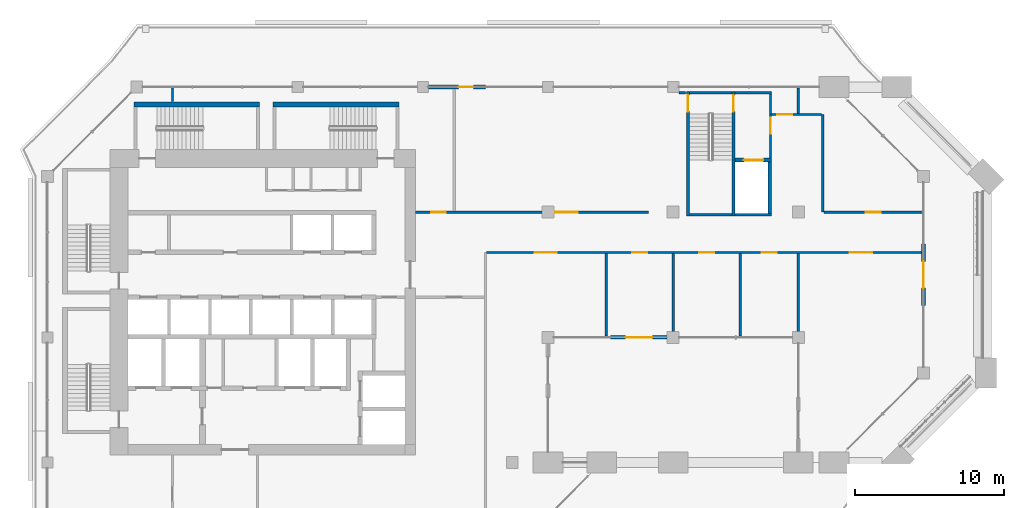
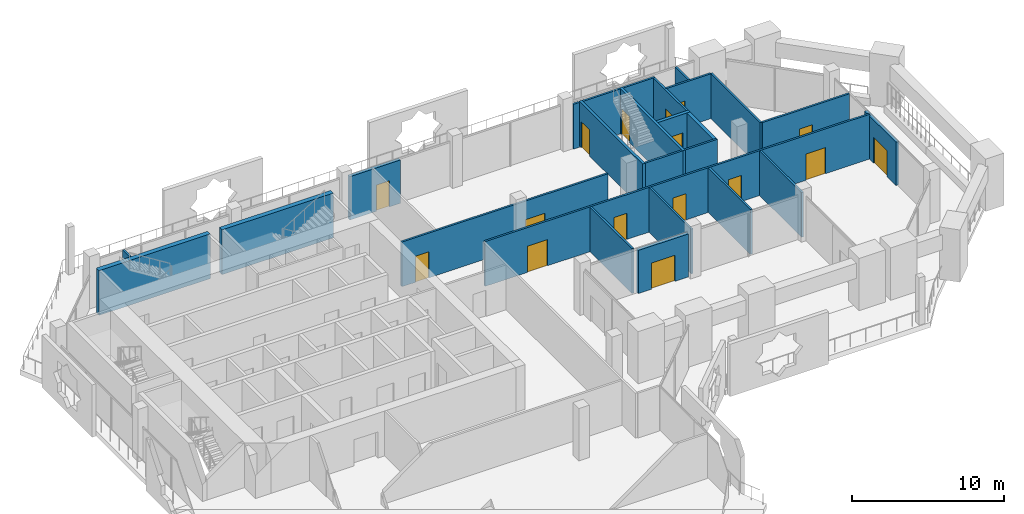
# One storey, part 13 of 20: 26 walls, 16 doors, 16 openings.
"""IFC4 building model written with IfcOpenShell, lengths in metres."""

from ifc_helpers import new_model, si_unit, direction, frame, frame_2d, origin, place, context, subcontext, project, spatial, rectangle, extrude, material, layer, layer_set, type_object, element, fill, save


model = new_model("IFC4")

# Units and contexts
model_context = context("Model", 3, precision=1e-05, world=origin(), true_north=direction((0.0, 1.0)))
body_context = subcontext(model_context, "Body", "Model", "MODEL_VIEW")
ifc_project = project(units=[si_unit("LENGTHUNIT", "METRE"), si_unit("AREAUNIT", "SQUARE_METRE"), si_unit("VOLUMEUNIT", "CUBIC_METRE"), si_unit("PLANEANGLEUNIT", "RADIAN"), si_unit("MASSUNIT", "GRAM", prefix="KILO")], contexts=[model_context])

# Site, building, storey
site_placement = place(None, origin())
site = spatial("IfcSite", under=ifc_project, at=site_placement, CompositionType="ELEMENT")
building_placement = place(site_placement, origin())
building = spatial("IfcBuilding", under=site, at=building_placement, Name="Kawkab Arch Medical Tower", CompositionType="ELEMENT")
storey_placement = place(building_placement, frame((0.0, 0.0, 277.60009765625)))
storey = spatial("IfcBuildingStorey", under=building, at=storey_placement, Name="L64", CompositionType="ELEMENT", Elevation=277.60009765625)

# Wall, opening, door
ifc_material_1 = material(Name="Gypsum board on steel studs", Category="steel")
ifc_layer_1 = layer(ifc_material_1, 0.14990234375)
ifc_layer_set_1 = layer_set([ifc_layer_1], Name="Gypsum board on steel studs")
wall_type_1 = type_object("IfcWallType", Name="Core room partition 150", PredefinedType="PARTITIONING", material=ifc_layer_set_1)
wall_1_placement = place(storey_placement, frame((48.52490234375, -4.77490234375, 0.0), z_axis=(0.0, 0.0, 1.0), x_axis=(0.0, 1.0, 0.0)))
wall_1 = element("IfcWall", 1, at=wall_1_placement, inside=storey, type_object=wall_type_1, Name="L64 core room partition", PredefinedType="PARTITIONING", context=body_context, shape_type="SweptSolid", body=[
    extrude(rectangle(XDim=4.324951171875, YDim=0.14990234375, at=frame_2d((2.16259765625, 0.0))), origin(), (0.0, 0.0, 1.0), 3.599853515625),
])
opening_1_placement = place(wall_1_placement, frame((1.625, 0.0, 0.0)))
opening_1 = element("IfcOpeningElement", 2, at=opening_1_placement, cuts=wall_1, Name="Opening FD", PredefinedType="OPENING", context=body_context, shape_type="SweptSolid", body=[
    extrude(rectangle(XDim=1.10009765625, YDim=2.10009765625, at=frame_2d((0.550048828125, 1.050048828125))), frame((0.0, 0.0849609375, 0.0), z_axis=(0.0, -1.0, 0.0), x_axis=(1.0, 0.0, 0.0)), (0.0, 0.0, 1.0), 0.169921875),
])
ifc_material_2 = material(Name="Hollow metal fire door leaf")
door_type_1 = type_object("IfcDoorType", Name="Firefighting lobby door 1100", OperationType="SINGLE_SWING_LEFT", PredefinedType="DOOR", material=ifc_material_2)
door_1_placement = place(opening_1_placement, origin())
door_1 = element("IfcDoor", 3, at=door_1_placement, inside=storey, type_object=door_type_1, Name="L64 Service lift lobby door SV1", OperationType="SINGLE_SWING_LEFT", OverallHeight=2.10009765625, OverallWidth=1.10009765625, PredefinedType="DOOR", context=body_context, shape_type="SweptSolid", body=[
    extrude(rectangle(XDim=1.10009765625, YDim=2.10009765625, at=frame_2d((0.550048828125, 1.050048828125))), frame((0.0, 0.02490234375, 0.0), z_axis=(0.0, -1.0, 0.0), x_axis=(1.0, 0.0, 0.0)), (0.0, 0.0, 1.0), 0.050048828125),
])
fill(opening_1, door_1)

ifc_material_3 = material(Name="Concrete C60/75", Category="concrete")
ifc_layer_2 = layer(ifc_material_3, 0.25)
ifc_layer_set_2 = layer_set([ifc_layer_2], Name="Concrete C60/75")
wall_type_2 = type_object("IfcWallType", Name="Core shear wall 250 C60/75", PredefinedType="SHEAR", material=ifc_layer_set_2)
wall_2_placement = place(storey_placement, frame((46.14990234375, -4.89990234375, 0.0), z_axis=(0.0, 0.0, 1.0), x_axis=(1.0, 0.0, 0.0)))
wall_2 = element("IfcWall", 4, at=wall_2_placement, inside=storey, type_object=wall_type_2, Name="L64 core shear wall", PredefinedType="SHEAR", context=body_context, shape_type="SweptSolid", body=[
    extrude(rectangle(XDim=2.4501953125, YDim=0.25, at=frame_2d((1.22509765625, 0.0))), origin(), (0.0, 0.0, 1.0), 3.599853515625),
])
opening_2_placement = place(wall_2_placement, frame((0.60009765625, 0.0, 0.0)))
opening_2 = element("IfcOpeningElement", 5, at=opening_2_placement, cuts=wall_2, Name="Opening LD2", PredefinedType="OPENING", context=body_context, shape_type="SweptSolid", body=[
    extrude(rectangle(XDim=1.300048828125, YDim=2.10009765625, at=frame_2d((0.64990234375, 1.050048828125))), frame((0.0, 0.135009765625, 0.0), z_axis=(0.0, -1.0, 0.0), x_axis=(1.0, 0.0, 0.0)), (0.0, 0.0, 1.0), 0.27001953125),
])
ifc_material_4 = material(Name="Stainless steel lift door leaf", Category="steel")
door_type_2 = type_object("IfcDoorType", Name="Lift landing door 1300", OperationType="DOUBLE_DOOR_SLIDING", PredefinedType="DOOR", material=ifc_material_4)
door_2_placement = place(opening_2_placement, origin())
door_2 = element("IfcDoor", 6, at=door_2_placement, inside=storey, type_object=door_type_2, Name="L64 Lift landing door SV1", OperationType="DOUBLE_DOOR_SLIDING", OverallHeight=2.10009765625, OverallWidth=1.300048828125, PredefinedType="DOOR", context=body_context, shape_type="SweptSolid", body=[
    extrude(rectangle(XDim=1.300048828125, YDim=2.10009765625, at=frame_2d((0.64990234375, 1.050048828125))), frame((0.0, 0.02490234375, 0.0), z_axis=(0.0, -1.0, 0.0), x_axis=(1.0, 0.0, 0.0)), (0.0, 0.0, 1.0), 0.050048828125),
])
fill(opening_2, door_2)

# Wall
wall_3_placement = place(storey_placement, frame((48.47509765625, -8.5, 0.0), z_axis=(0.0, 0.0, 1.0), x_axis=(0.0, 1.0, 0.0)))
element("IfcWall", 7, at=wall_3_placement, inside=storey, type_object=wall_type_2, Name="L64 core shear wall", PredefinedType="SHEAR", context=body_context, shape_type="SweptSolid", body=[
    extrude(rectangle(XDim=3.47509765625, YDim=0.25, at=frame_2d((1.737548828125, 0.0))), origin(), (0.0, 0.0, 1.0), 3.599853515625),
])

# Wall, opening, door
ifc_material_5 = material(Name="Bronze clad insulated wall panel")
ifc_layer_3 = layer(ifc_material_5, 0.25)
ifc_layer_set_3 = layer_set([ifc_layer_3], Name="Bronze clad insulated wall panel")
wall_type_3 = type_object("IfcWallType", Name="External wall bay 250", PredefinedType="SOLIDWALL", material=ifc_layer_set_3)
wall_4_placement = place(storey_placement, frame((37.800048828125, -16.800048828125, 0.0), z_axis=(0.0, 0.0, 1.0), x_axis=(1.0, 0.0, 0.0)))
wall_4 = element("IfcWall", 8, at=wall_4_placement, inside=storey, type_object=wall_type_3, Name="External wall bay L64.R04.1.2", PredefinedType="SOLIDWALL", context=body_context, shape_type="SweptSolid", body=[
    extrude(rectangle(XDim=3.800048828125, YDim=0.25, at=frame_2d((1.89990234375, 0.0))), origin(), (0.0, 0.0, 1.0), 3.4599609375),
])
opening_3_placement = place(wall_4_placement, frame((1.0, 0.0, 0.0)))
opening_3 = element("IfcOpeningElement", 9, at=opening_3_placement, cuts=wall_4, Name="Opening B64-701", PredefinedType="OPENING", context=body_context, shape_type="SweptSolid", body=[
    extrude(rectangle(XDim=1.800048828125, YDim=2.10009765625, at=frame_2d((0.89990234375, 1.050048828125))), frame((0.0, 0.135009765625, 0.0), z_axis=(0.0, -1.0, 0.0), x_axis=(1.0, 0.0, 0.0)), (0.0, 0.0, 1.0), 0.27001953125),
])
ifc_material_6 = material(Name="Bronze anodised aluminium door with tinted glass", Category="aluminium")
door_type_3 = type_object("IfcDoorType", Name="Double external door 1800 x 2100", OperationType="DOUBLE_DOOR_SINGLE_SWING", PredefinedType="DOOR", material=ifc_material_6)
door_3_placement = place(opening_3_placement, origin())
door_3 = element("IfcDoor", 10, at=door_3_placement, inside=storey, type_object=door_type_3, Name="External door L64.R04.1.2", OperationType="DOUBLE_DOOR_SINGLE_SWING", OverallHeight=2.10009765625, OverallWidth=1.800048828125, PredefinedType="DOOR", context=body_context, shape_type="SweptSolid", body=[
    extrude(rectangle(XDim=1.800048828125, YDim=2.10009765625, at=frame_2d((0.89990234375, 1.050048828125))), frame((0.0, 0.02490234375, 0.0), z_axis=(0.0, -1.0, 0.0), x_axis=(1.0, 0.0, 0.0)), (0.0, 0.0, 1.0), 0.050048828125),
])
fill(opening_3, door_3)

wall_5_placement = place(storey_placement, frame((58.800048828125, -14.666748046875, 0.0), z_axis=(0.0, 0.0, 1.0), x_axis=(0.0, 1.0, 0.0)))
wall_5 = element("IfcWall", 11, at=wall_5_placement, inside=storey, type_object=wall_type_3, Name="External wall bay L64.R08.1.2", PredefinedType="SOLIDWALL", context=body_context, shape_type="SweptSolid", body=[
    extrude(rectangle(XDim=4.13330078125, YDim=0.25, at=frame_2d((2.066650390625, 0.0))), origin(), (0.0, 0.0, 1.0), 3.47998046875),
])
opening_4_placement = place(wall_5_placement, frame((1.166748046875, 0.0, 0.0)))
opening_4 = element("IfcOpeningElement", 12, at=opening_4_placement, cuts=wall_5, Name="Opening B64-701", PredefinedType="OPENING", context=body_context, shape_type="SweptSolid", body=[
    extrude(rectangle(XDim=1.800048828125, YDim=2.10009765625, at=frame_2d((0.89990234375, 1.050048828125))), frame((0.0, 0.135009765625, 0.0), z_axis=(0.0, -1.0, 0.0), x_axis=(1.0, 0.0, 0.0)), (0.0, 0.0, 1.0), 0.27001953125),
])
door_4_placement = place(opening_4_placement, origin())
door_4 = element("IfcDoor", 13, at=door_4_placement, inside=storey, type_object=door_type_3, Name="External door L64.R08.1.2", OperationType="DOUBLE_DOOR_SINGLE_SWING", OverallHeight=2.10009765625, OverallWidth=1.800048828125, PredefinedType="DOOR", context=body_context, shape_type="SweptSolid", body=[
    extrude(rectangle(XDim=1.800048828125, YDim=2.10009765625, at=frame_2d((0.89990234375, 1.050048828125))), frame((0.0, 0.02490234375, 0.0), z_axis=(0.0, -1.0, 0.0), x_axis=(1.0, 0.0, 0.0)), (0.0, 0.0, 1.0), 0.050048828125),
])
fill(opening_4, door_4)

wall_6_placement = place(storey_placement, frame((29.39990234375, 0.0, 0.0), z_axis=(0.0, 0.0, 1.0), x_axis=(-1.0, 0.0, 0.0)))
wall_6 = element("IfcWall", 14, at=wall_6_placement, inside=storey, type_object=wall_type_3, Name="External wall bay L64.R10.3.2", PredefinedType="SOLIDWALL", context=body_context, shape_type="SweptSolid", body=[
    extrude(rectangle(XDim=3.824951171875, YDim=0.25, at=frame_2d((1.91259765625, 0.0))), origin(), (0.0, 0.0, 1.0), 3.47998046875),
])
opening_5_placement = place(wall_6_placement, frame((0.8125, 0.0, 0.0)))
opening_5 = element("IfcOpeningElement", 15, at=opening_5_placement, cuts=wall_6, Name="Opening B64-702", PredefinedType="OPENING", context=body_context, shape_type="SweptSolid", body=[
    extrude(rectangle(XDim=1.0, YDim=2.10009765625, at=frame_2d((0.5, 1.050048828125))), frame((0.0, 0.135009765625, 0.0), z_axis=(0.0, -1.0, 0.0), x_axis=(1.0, 0.0, 0.0)), (0.0, 0.0, 1.0), 0.27001953125),
])
ifc_material_7 = material(Name="Bronze anodised aluminium door with tinted glass", Category="aluminium")
door_type_4 = type_object("IfcDoorType", Name="Single external door 1000 x 2100", OperationType="SINGLE_SWING_LEFT", PredefinedType="DOOR", material=ifc_material_7)
door_5_placement = place(opening_5_placement, origin())
door_5 = element("IfcDoor", 16, at=door_5_placement, inside=storey, type_object=door_type_4, Name="External door L64.R10.3.2", OperationType="SINGLE_SWING_LEFT", OverallHeight=2.10009765625, OverallWidth=1.0, PredefinedType="DOOR", context=body_context, shape_type="SweptSolid", body=[
    extrude(rectangle(XDim=1.0, YDim=2.10009765625, at=frame_2d((0.5, 1.050048828125))), frame((0.0, 0.02490234375, 0.0), z_axis=(0.0, -1.0, 0.0), x_axis=(1.0, 0.0, 0.0)), (0.0, 0.0, 1.0), 0.050048828125),
])
fill(opening_5, door_5)

# Wall, openings, doors
ifc_material_8 = material(Name="Gypsum board partition on steel studs, mineral wool", Category="steel")
ifc_layer_4 = layer(ifc_material_8, 0.14990234375)
ifc_layer_set_4 = layer_set([ifc_layer_4], Name="Gypsum board partition on steel studs, mineral wool")
wall_type_4 = type_object("IfcWallType", Name="Partition 150", PredefinedType="PARTITIONING", material=ifc_layer_set_4)
wall_7_placement = place(storey_placement, frame((29.47509765625, -11.10009765625, 0.0), z_axis=(0.0, 0.0, 1.0), x_axis=(1.0, 0.0, 0.0)))
wall_7 = element("IfcWall", 17, at=wall_7_placement, inside=storey, type_object=wall_type_4, Name="Partition 150 w008", PredefinedType="PARTITIONING", context=body_context, shape_type="SweptSolid", body=[
    extrude(rectangle(XDim=29.244873046875, YDim=0.14990234375, at=frame_2d((14.62255859375, 0.0))), origin(), (0.0, 0.0, 1.0), 3.599853515625),
])
opening_6_placement = place(wall_7_placement, frame((3.22509765625, 0.0, 0.0)))
opening_6 = element("IfcOpeningElement", 18, at=opening_6_placement, cuts=wall_7, Name="Opening B64-001", PredefinedType="OPENING", context=body_context, shape_type="SweptSolid", body=[
    extrude(rectangle(XDim=1.5, YDim=2.10009765625, at=frame_2d((0.75, 1.050048828125))), frame((0.0, 0.0849609375, 0.0), z_axis=(0.0, -1.0, 0.0), x_axis=(1.0, 0.0, 0.0)), (0.0, 0.0, 1.0), 0.169921875),
])
opening_7_placement = place(wall_7_placement, frame((9.77490234375, 0.0, 0.0)))
opening_7 = element("IfcOpeningElement", 19, at=opening_7_placement, cuts=wall_7, Name="Opening B64-011", PredefinedType="OPENING", context=body_context, shape_type="SweptSolid", body=[
    extrude(rectangle(XDim=1.0, YDim=2.10009765625, at=frame_2d((0.5, 1.050048828125))), frame((0.0, 0.0849609375, 0.0), z_axis=(0.0, -1.0, 0.0), x_axis=(1.0, 0.0, 0.0)), (0.0, 0.0, 1.0), 0.169921875),
])
opening_8_placement = place(wall_7_placement, frame((14.27490234375, 0.0, 0.0)))
opening_8 = element("IfcOpeningElement", 20, at=opening_8_placement, cuts=wall_7, Name="Opening B64-012", PredefinedType="OPENING", context=body_context, shape_type="SweptSolid", body=[
    extrude(rectangle(XDim=1.0, YDim=2.10009765625, at=frame_2d((0.5, 1.050048828125))), frame((0.0, 0.0849609375, 0.0), z_axis=(0.0, -1.0, 0.0), x_axis=(1.0, 0.0, 0.0)), (0.0, 0.0, 1.0), 0.169921875),
])
opening_9_placement = place(wall_7_placement, frame((18.47509765625, 0.0, 0.0)))
opening_9 = element("IfcOpeningElement", 21, at=opening_9_placement, cuts=wall_7, Name="Opening B64-013", PredefinedType="OPENING", context=body_context, shape_type="SweptSolid", body=[
    extrude(rectangle(XDim=1.0, YDim=2.10009765625, at=frame_2d((0.5, 1.050048828125))), frame((0.0, 0.0849609375, 0.0), z_axis=(0.0, -1.0, 0.0), x_axis=(1.0, 0.0, 0.0)), (0.0, 0.0, 1.0), 0.169921875),
])
opening_10_placement = place(wall_7_placement, frame((24.375, 0.0, 0.0)))
opening_10 = element("IfcOpeningElement", 22, at=opening_10_placement, cuts=wall_7, Name="Opening B64-002", PredefinedType="OPENING", context=body_context, shape_type="SweptSolid", body=[
    extrude(rectangle(XDim=1.5, YDim=2.10009765625, at=frame_2d((0.75, 1.050048828125))), frame((0.0, 0.0849609375, 0.0), z_axis=(0.0, -1.0, 0.0), x_axis=(1.0, 0.0, 0.0)), (0.0, 0.0, 1.0), 0.169921875),
])
ifc_material_9 = material(Name="Hollow metal door leaf")
door_type_5 = type_object("IfcDoorType", Name="Double door 1500x2100 FD30S", OperationType="NOTDEFINED", PredefinedType="DOOR", material=ifc_material_9)
door_6_placement = place(opening_6_placement, origin())
door_6 = element("IfcDoor", 23, at=door_6_placement, inside=storey, type_object=door_type_5, Name="Door B64-001", OperationType="DOUBLE_DOOR_SINGLE_SWING", OverallHeight=2.10009765625, OverallWidth=1.5, PredefinedType="DOOR", context=body_context, shape_type="SweptSolid", body=[
    extrude(rectangle(XDim=1.5, YDim=2.10009765625, at=frame_2d((0.75, 1.050048828125))), frame((0.0, 0.02490234375, 0.0), z_axis=(0.0, -1.0, 0.0), x_axis=(1.0, 0.0, 0.0)), (0.0, 0.0, 1.0), 0.050048828125),
])
fill(opening_6, door_6)
door_7_placement = place(opening_10_placement, origin())
door_7 = element("IfcDoor", 24, at=door_7_placement, inside=storey, type_object=door_type_5, Name="Door B64-002", OperationType="DOUBLE_DOOR_SINGLE_SWING", OverallHeight=2.10009765625, OverallWidth=1.5, PredefinedType="DOOR", context=body_context, shape_type="SweptSolid", body=[
    extrude(rectangle(XDim=1.5, YDim=2.10009765625, at=frame_2d((0.75, 1.050048828125))), frame((0.0, 0.02490234375, 0.0), z_axis=(0.0, -1.0, 0.0), x_axis=(1.0, 0.0, 0.0)), (0.0, 0.0, 1.0), 0.050048828125),
])
fill(opening_10, door_7)
ifc_material_10 = material(Name="Hollow metal door leaf")
door_type_6 = type_object("IfcDoorType", Name="Single door 1000x2100 FD30S", OperationType="NOTDEFINED", PredefinedType="DOOR", material=ifc_material_10)
door_8_placement = place(opening_7_placement, origin())
door_8 = element("IfcDoor", 25, at=door_8_placement, inside=storey, type_object=door_type_6, Name="Door B64-011", OperationType="SINGLE_SWING_RIGHT", OverallHeight=2.10009765625, OverallWidth=1.0, PredefinedType="DOOR", context=body_context, shape_type="SweptSolid", body=[
    extrude(rectangle(XDim=1.0, YDim=2.10009765625, at=frame_2d((0.5, 1.050048828125))), frame((0.0, 0.02490234375, 0.0), z_axis=(0.0, -1.0, 0.0), x_axis=(1.0, 0.0, 0.0)), (0.0, 0.0, 1.0), 0.050048828125),
])
fill(opening_7, door_8)
door_9_placement = place(opening_8_placement, origin())
door_9 = element("IfcDoor", 26, at=door_9_placement, inside=storey, type_object=door_type_6, Name="Door B64-012", OperationType="SINGLE_SWING_RIGHT", OverallHeight=2.10009765625, OverallWidth=1.0, PredefinedType="DOOR", context=body_context, shape_type="SweptSolid", body=[
    extrude(rectangle(XDim=1.0, YDim=2.10009765625, at=frame_2d((0.5, 1.050048828125))), frame((0.0, 0.02490234375, 0.0), z_axis=(0.0, -1.0, 0.0), x_axis=(1.0, 0.0, 0.0)), (0.0, 0.0, 1.0), 0.050048828125),
])
fill(opening_8, door_9)
door_10_placement = place(opening_9_placement, origin())
door_10 = element("IfcDoor", 27, at=door_10_placement, inside=storey, type_object=door_type_6, Name="Door B64-013", OperationType="SINGLE_SWING_LEFT", OverallHeight=2.10009765625, OverallWidth=1.0, PredefinedType="DOOR", context=body_context, shape_type="SweptSolid", body=[
    extrude(rectangle(XDim=1.0, YDim=2.10009765625, at=frame_2d((0.5, 1.050048828125))), frame((0.0, 0.02490234375, 0.0), z_axis=(0.0, -1.0, 0.0), x_axis=(1.0, 0.0, 0.0)), (0.0, 0.0, 1.0), 0.050048828125),
])
fill(opening_9, door_10)

wall_8_placement = place(storey_placement, frame((24.699951171875, -8.39990234375, 0.0), z_axis=(0.0, 0.0, 1.0), x_axis=(1.0, 0.0, 0.0)))
wall_8 = element("IfcWall", 28, at=wall_8_placement, inside=storey, type_object=wall_type_4, Name="Partition 150 w009", PredefinedType="PARTITIONING", context=body_context, shape_type="SweptSolid", body=[
    extrude(rectangle(XDim=15.656982421875, YDim=0.14990234375, at=frame_2d((7.82861328125, 0.0))), origin(), (0.0, 0.0, 1.0), 3.599853515625),
])
opening_11_placement = place(wall_8_placement, frame((1.050048828125, 0.0, 0.0)))
opening_11 = element("IfcOpeningElement", 29, at=opening_11_placement, cuts=wall_8, Name="Opening B64-007", PredefinedType="OPENING", context=body_context, shape_type="SweptSolid", body=[
    extrude(rectangle(XDim=1.0, YDim=2.10009765625, at=frame_2d((0.5, 1.050048828125))), frame((0.0, 0.0849609375, 0.0), z_axis=(0.0, -1.0, 0.0), x_axis=(1.0, 0.0, 0.0)), (0.0, 0.0, 1.0), 0.169921875),
])
opening_12_placement = place(wall_8_placement, frame((9.37890625, 0.0, 0.0)))
opening_12 = element("IfcOpeningElement", 30, at=opening_12_placement, cuts=wall_8, Name="Opening B64-005", PredefinedType="OPENING", context=body_context, shape_type="SweptSolid", body=[
    extrude(rectangle(XDim=1.5, YDim=2.10009765625, at=frame_2d((0.75, 1.050048828125))), frame((0.0, 0.0849609375, 0.0), z_axis=(0.0, -1.0, 0.0), x_axis=(1.0, 0.0, 0.0)), (0.0, 0.0, 1.0), 0.169921875),
])
door_11_placement = place(opening_12_placement, origin())
door_11 = element("IfcDoor", 31, at=door_11_placement, inside=storey, type_object=door_type_5, Name="Door B64-005", OperationType="DOUBLE_DOOR_SINGLE_SWING", OverallHeight=2.10009765625, OverallWidth=1.5, PredefinedType="DOOR", context=body_context, shape_type="SweptSolid", body=[
    extrude(rectangle(XDim=1.5, YDim=2.10009765625, at=frame_2d((0.75, 1.050048828125))), frame((0.0, 0.02490234375, 0.0), z_axis=(0.0, -1.0, 0.0), x_axis=(1.0, 0.0, 0.0)), (0.0, 0.0, 1.0), 0.050048828125),
])
fill(opening_12, door_11)
ifc_material_11 = material(Name="Timber door leaf", Category="wood")
door_type_7 = type_object("IfcDoorType", Name="Single door 1000x2100", OperationType="NOTDEFINED", PredefinedType="DOOR", material=ifc_material_11)
door_12_placement = place(opening_11_placement, origin())
door_12 = element("IfcDoor", 32, at=door_12_placement, inside=storey, type_object=door_type_7, Name="Door B64-007", OperationType="SINGLE_SWING_LEFT", OverallHeight=2.10009765625, OverallWidth=1.0, PredefinedType="DOOR", context=body_context, shape_type="SweptSolid", body=[
    extrude(rectangle(XDim=1.0, YDim=2.10009765625, at=frame_2d((0.5, 1.050048828125))), frame((0.0, 0.02490234375, 0.0), z_axis=(0.0, -1.0, 0.0), x_axis=(1.0, 0.0, 0.0)), (0.0, 0.0, 1.0), 0.050048828125),
])
fill(opening_11, door_12)

# Wall, opening, door
wall_9_placement = place(storey_placement, frame((52.117919921875, -8.39990234375, 0.0), z_axis=(0.0, 0.0, 1.0), x_axis=(1.0, 0.0, 0.0)))
wall_9 = element("IfcWall", 33, at=wall_9_placement, inside=storey, type_object=wall_type_4, Name="Partition 150 w010", PredefinedType="PARTITIONING", context=body_context, shape_type="SweptSolid", body=[
    extrude(rectangle(XDim=6.60205078125, YDim=0.14990234375, at=frame_2d((3.301025390625, 0.0))), origin(), (0.0, 0.0, 1.0), 3.599853515625),
])
opening_13_placement = place(wall_9_placement, frame((2.802978515625, 0.0, 0.0)))
opening_13 = element("IfcOpeningElement", 34, at=opening_13_placement, cuts=wall_9, Name="Opening B64-010", PredefinedType="OPENING", context=body_context, shape_type="SweptSolid", body=[
    extrude(rectangle(XDim=1.0, YDim=2.10009765625, at=frame_2d((0.5, 1.050048828125))), frame((0.0, 0.0849609375, 0.0), z_axis=(0.0, -1.0, 0.0), x_axis=(1.0, 0.0, 0.0)), (0.0, 0.0, 1.0), 0.169921875),
])
door_13_placement = place(opening_13_placement, origin())
door_13 = element("IfcDoor", 35, at=door_13_placement, inside=storey, type_object=door_type_6, Name="Door B64-010", OperationType="SINGLE_SWING_RIGHT", OverallHeight=2.10009765625, OverallWidth=1.0, PredefinedType="DOOR", context=body_context, shape_type="SweptSolid", body=[
    extrude(rectangle(XDim=1.0, YDim=2.10009765625, at=frame_2d((0.5, 1.050048828125))), frame((0.0, 0.02490234375, 0.0), z_axis=(0.0, -1.0, 0.0), x_axis=(1.0, 0.0, 0.0)), (0.0, 0.0, 1.0), 0.050048828125),
])
fill(opening_13, door_13)

wall_10_placement = place(storey_placement, frame((48.550048828125, -1.85009765625, 0.0), z_axis=(0.0, 0.0, 1.0), x_axis=(1.0, 0.0, 0.0)))
wall_10 = element("IfcWall", 36, at=wall_10_placement, inside=storey, type_object=wall_type_4, Name="Partition 150 w011", PredefinedType="PARTITIONING", context=body_context, shape_type="SweptSolid", body=[
    extrude(rectangle(XDim=3.41796875, YDim=0.14990234375, at=frame_2d((1.708984375, 0.0))), origin(), (0.0, 0.0, 1.0), 3.599853515625),
])
opening_14_placement = place(wall_10_placement, frame((0.449951171875, 0.0, 0.0)))
opening_14 = element("IfcOpeningElement", 37, at=opening_14_placement, cuts=wall_10, Name="Opening B64-009", PredefinedType="OPENING", context=body_context, shape_type="SweptSolid", body=[
    extrude(rectangle(XDim=1.0, YDim=2.10009765625, at=frame_2d((0.5, 1.050048828125))), frame((0.0, 0.0849609375, 0.0), z_axis=(0.0, -1.0, 0.0), x_axis=(1.0, 0.0, 0.0)), (0.0, 0.0, 1.0), 0.169921875),
])
door_14_placement = place(opening_14_placement, origin())
door_14 = element("IfcDoor", 38, at=door_14_placement, inside=storey, type_object=door_type_6, Name="Door B64-009", OperationType="SINGLE_SWING_LEFT", OverallHeight=2.10009765625, OverallWidth=1.0, PredefinedType="DOOR", context=body_context, shape_type="SweptSolid", body=[
    extrude(rectangle(XDim=1.0, YDim=2.10009765625, at=frame_2d((0.5, 1.050048828125))), frame((0.0, 0.02490234375, 0.0), z_axis=(0.0, -1.0, 0.0), x_axis=(1.0, 0.0, 0.0)), (0.0, 0.0, 1.0), 0.050048828125),
])
fill(opening_14, door_14)

# Walls
wall_11_placement = place(storey_placement, frame((42.3759765625, -0.375, 0.0), z_axis=(0.0, 0.0, 1.0), x_axis=(1.0, 0.0, 0.0)))
element("IfcWall", 39, at=wall_11_placement, inside=storey, type_object=wall_type_4, Name="Partition 150 w012", PredefinedType="PARTITIONING", context=body_context, shape_type="SweptSolid", body=[
    extrude(rectangle(XDim=0.444091796875, YDim=0.14990234375, at=frame_2d((0.22216796875, 0.0))), origin(), (0.0, 0.0, 1.0), 3.599853515625),
])
wall_12_placement = place(storey_placement, frame((8.39990234375, -0.969970703125, 0.0), z_axis=(0.0, 0.0, 1.0), x_axis=(0.0, 1.0, 0.0)))
element("IfcWall", 40, at=wall_12_placement, inside=storey, type_object=wall_type_4, Name="Partition 150 w015", PredefinedType="PARTITIONING", context=body_context, shape_type="SweptSolid", body=[
    extrude(rectangle(XDim=0.889892578125, YDim=0.14990234375, at=frame_2d((0.44482421875, 0.0))), origin(), (0.0, 0.0, 1.0), 3.599853515625),
])
for number, where, z_axis, x_axis, name in (
    (41, (37.5, -16.719970703125, 0.0), (0.0, 0.0, 1.0), (0.0, 1.0, 0.0), "Partition 150 w020"),
    (42, (42.0, -16.719970703125, 0.0), (0.0, 0.0, 1.0), (0.0, 1.0, 0.0), "Partition 150 w021"),
    (43, (46.5, -16.719970703125, 0.0), (0.0, 0.0, 1.0), (0.0, 1.0, 0.0), "Partition 150 w022"),
    (44, (50.39990234375, -16.719970703125, 0.0), (0.0, 0.0, 1.0), (0.0, 1.0, 0.0), "Partition 150 w023"),
):
    element("IfcWall", number, at=place(storey_placement, frame(where, z_axis=z_axis, x_axis=x_axis)), inside=storey, type_object=wall_type_4, Name=name, PredefinedType="PARTITIONING", context=body_context, shape_type="SweptSolid", body=[
        extrude(rectangle(XDim=5.544921875, YDim=0.14990234375, at=frame_2d((2.7724609375, 0.0))), origin(), (0.0, 0.0, 1.0), 3.599853515625),
    ])
wall_13_placement = place(storey_placement, frame((50.39990234375, -1.77490234375, 0.0), z_axis=(0.0, 0.0, 1.0), x_axis=(0.0, 1.0, 0.0)))
element("IfcWall", 45, at=wall_13_placement, inside=storey, type_object=wall_type_4, Name="Partition 150 w024", PredefinedType="PARTITIONING", context=body_context, shape_type="SweptSolid", body=[
    extrude(rectangle(XDim=1.69482421875, YDim=0.14990234375, at=frame_2d((0.847412109375, 0.0))), origin(), (0.0, 0.0, 1.0), 3.599853515625),
])
wall_14_placement = place(storey_placement, frame((52.04296875, -8.39990234375, 0.0), z_axis=(0.0, 0.0, 1.0), x_axis=(0.0, 1.0, 0.0)))
element("IfcWall", 46, at=wall_14_placement, inside=storey, type_object=wall_type_4, Name="Partition 150 w025", PredefinedType="PARTITIONING", context=body_context, shape_type="SweptSolid", body=[
    extrude(rectangle(XDim=6.5498046875, YDim=0.14990234375, at=frame_2d((3.27490234375, 0.0))), origin(), (0.0, 0.0, 1.0), 3.599853515625),
])
ifc_material_12 = material(Name="Concrete C50/60", Category="concrete")
ifc_layer_5 = layer(ifc_material_12, 0.14990234375)
ifc_layer_set_5 = layer_set([ifc_layer_5], Name="Concrete C50/60")
wall_type_5 = type_object("IfcWallType", Name="Stair enclosure wall 150 C50/60", PredefinedType="SHEAR", material=ifc_layer_set_5)
wall_15_placement = place(storey_placement, frame((43.10009765625, -0.375, 0.0), z_axis=(0.0, 0.0, 1.0), x_axis=(1.0, 0.0, 0.0)))
element("IfcWall", 47, at=wall_15_placement, inside=storey, type_object=wall_type_5, Name="L64 stair enclosure wall", PredefinedType="SHEAR", context=body_context, shape_type="SweptSolid", body=[
    extrude(rectangle(XDim=2.849853515625, YDim=0.14990234375, at=frame_2d((1.4248046875, 0.0))), origin(), (0.0, 0.0, 1.0), 3.599853515625),
])
wall_16_placement = place(storey_placement, frame((46.14990234375, -0.375, 0.0), z_axis=(0.0, 0.0, 1.0), x_axis=(1.0, 0.0, 0.0)))
element("IfcWall", 48, at=wall_16_placement, inside=storey, type_object=wall_type_5, Name="L64 stair enclosure wall", PredefinedType="SHEAR", context=body_context, shape_type="SweptSolid", body=[
    extrude(rectangle(XDim=2.4501953125, YDim=0.14990234375, at=frame_2d((1.22509765625, 0.0))), origin(), (0.0, 0.0, 1.0), 3.599853515625),
])
wall_17_placement = place(storey_placement, frame((43.10009765625, -8.574951171875, 0.0), z_axis=(0.0, 0.0, 1.0), x_axis=(1.0, 0.0, 0.0)))
element("IfcWall", 49, at=wall_17_placement, inside=storey, type_object=wall_type_5, Name="L64 stair enclosure wall", PredefinedType="SHEAR", context=body_context, shape_type="SweptSolid", body=[
    extrude(rectangle(XDim=2.849853515625, YDim=0.14990234375, at=frame_2d((1.4248046875, 0.0))), origin(), (0.0, 0.0, 1.0), 3.599853515625),
])
wall_18_placement = place(storey_placement, frame((46.14990234375, -8.574951171875, 0.0), z_axis=(0.0, 0.0, 1.0), x_axis=(1.0, 0.0, 0.0)))
element("IfcWall", 50, at=wall_18_placement, inside=storey, type_object=wall_type_5, Name="L64 stair enclosure wall", PredefinedType="SHEAR", context=body_context, shape_type="SweptSolid", body=[
    extrude(rectangle(XDim=2.4501953125, YDim=0.14990234375, at=frame_2d((1.22509765625, 0.0))), origin(), (0.0, 0.0, 1.0), 3.599853515625),
])

# Wall, opening, door
ifc_material_13 = material(Name="Concrete C50/60", Category="concrete")
ifc_layer_6 = layer(ifc_material_13, 0.199951171875)
ifc_layer_set_6 = layer_set([ifc_layer_6], Name="Concrete C50/60")
wall_type_6 = type_object("IfcWallType", Name="Stair enclosure wall 200 C50/60", PredefinedType="SHEAR", material=ifc_layer_set_6)
wall_19_placement = place(storey_placement, frame((43.0, -8.64990234375, 0.0), z_axis=(0.0, 0.0, 1.0), x_axis=(0.0, 1.0, 0.0)))
wall_19 = element("IfcWall", 51, at=wall_19_placement, inside=storey, type_object=wall_type_6, Name="L64 stair enclosure wall", PredefinedType="SHEAR", context=body_context, shape_type="SweptSolid", body=[
    extrude(rectangle(XDim=8.349853515625, YDim=0.199951171875, at=frame_2d((4.1748046875, 0.0))), origin(), (0.0, 0.0, 1.0), 3.599853515625),
])
opening_15_placement = place(wall_19_placement, frame((7.0, 0.0, 0.0)))
opening_15 = element("IfcOpeningElement", 52, at=opening_15_placement, cuts=wall_19, Name="Opening SD", PredefinedType="OPENING", context=body_context, shape_type="SweptSolid", body=[
    extrude(rectangle(XDim=1.10009765625, YDim=2.10009765625, at=frame_2d((0.550048828125, 1.050048828125))), frame((0.0, 0.10986328125, 0.0), z_axis=(0.0, -1.0, 0.0), x_axis=(1.0, 0.0, 0.0)), (0.0, 0.0, 1.0), 0.219970703125),
])
ifc_material_14 = material(Name="Hollow metal fire door leaf")
door_type_8 = type_object("IfcDoorType", Name="Exit stair door 1100", OperationType="SINGLE_SWING_LEFT", PredefinedType="DOOR", material=ifc_material_14)
door_15_placement = place(opening_15_placement, frame((1.10009765625, 0.0, 0.0), z_axis=(0.0, 0.0, 1.0), x_axis=(-1.0, 0.0, 0.0)))
door_15 = element("IfcDoor", 53, at=door_15_placement, inside=storey, type_object=door_type_8, Name="L64 Exit stair ST5 door", OperationType="SINGLE_SWING_LEFT", OverallHeight=2.10009765625, OverallWidth=1.10009765625, PredefinedType="DOOR", context=body_context, shape_type="SweptSolid", body=[
    extrude(rectangle(XDim=1.10009765625, YDim=2.10009765625, at=frame_2d((0.550048828125, 1.050048828125))), frame((0.0, 0.02490234375, 0.0), z_axis=(0.0, -1.0, 0.0), x_axis=(1.0, 0.0, 0.0)), (0.0, 0.0, 1.0), 0.050048828125),
])
fill(opening_15, door_15)

wall_20_placement = place(storey_placement, frame((46.050048828125, -8.64990234375, 0.0), z_axis=(0.0, 0.0, 1.0), x_axis=(0.0, 1.0, 0.0)))
wall_20 = element("IfcWall", 54, at=wall_20_placement, inside=storey, type_object=wall_type_6, Name="L64 stair enclosure wall", PredefinedType="SHEAR", context=body_context, shape_type="SweptSolid", body=[
    extrude(rectangle(XDim=8.349853515625, YDim=0.199951171875, at=frame_2d((4.1748046875, 0.0))), origin(), (0.0, 0.0, 1.0), 3.599853515625),
])
opening_16_placement = place(wall_20_placement, frame((7.0, 0.0, 0.0)))
opening_16 = element("IfcOpeningElement", 55, at=opening_16_placement, cuts=wall_20, Name="Opening SD", PredefinedType="OPENING", context=body_context, shape_type="SweptSolid", body=[
    extrude(rectangle(XDim=1.10009765625, YDim=2.10009765625, at=frame_2d((0.550048828125, 1.050048828125))), frame((0.0, 0.10986328125, 0.0), z_axis=(0.0, -1.0, 0.0), x_axis=(1.0, 0.0, 0.0)), (0.0, 0.0, 1.0), 0.219970703125),
])
door_16_placement = place(opening_16_placement, origin())
door_16 = element("IfcDoor", 56, at=door_16_placement, inside=storey, type_object=door_type_8, Name="L64 Exit stair ST5 lobby door", OperationType="SINGLE_SWING_LEFT", OverallHeight=2.10009765625, OverallWidth=1.10009765625, PredefinedType="DOOR", context=body_context, shape_type="SweptSolid", body=[
    extrude(rectangle(XDim=1.10009765625, YDim=2.10009765625, at=frame_2d((0.550048828125, 1.050048828125))), frame((0.0, 0.02490234375, 0.0), z_axis=(0.0, -1.0, 0.0), x_axis=(1.0, 0.0, 0.0)), (0.0, 0.0, 1.0), 0.050048828125),
])
fill(opening_16, door_16)

# Walls
ifc_material_15 = material(Name="Concrete C50/60", Category="concrete")
ifc_layer_7 = layer(ifc_material_15, 0.35009765625)
ifc_layer_set_7 = layer_set([ifc_layer_7], Name="Concrete C50/60")
wall_type_7 = type_object("IfcWallType", Name="Stair enclosure wall 350 C50/60", PredefinedType="SHEAR", material=ifc_layer_set_7)
wall_21_placement = place(storey_placement, frame((5.800048828125, -1.175048828125, 0.0), z_axis=(0.0, 0.0, 1.0), x_axis=(1.0, 0.0, 0.0)))
element("IfcWall", 57, at=wall_21_placement, inside=storey, type_object=wall_type_7, Name="L64 stair enclosure wall", PredefinedType="SHEAR", context=body_context, shape_type="SweptSolid", body=[
    extrude(rectangle(XDim=8.449951171875, YDim=0.35009765625, at=frame_2d((4.22509765625, 0.0))), origin(), (0.0, 0.0, 1.0), 3.599853515625),
])
wall_22_placement = place(storey_placement, frame((15.14990234375, -1.175048828125, 0.0), z_axis=(0.0, 0.0, 1.0), x_axis=(1.0, 0.0, 0.0)))
element("IfcWall", 58, at=wall_22_placement, inside=storey, type_object=wall_type_7, Name="L64 stair enclosure wall", PredefinedType="SHEAR", context=body_context, shape_type="SweptSolid", body=[
    extrude(rectangle(XDim=8.4501953125, YDim=0.35009765625, at=frame_2d((4.22509765625, 0.0))), origin(), (0.0, 0.0, 1.0), 3.599853515625),
])

save(model, "model.ifc")
